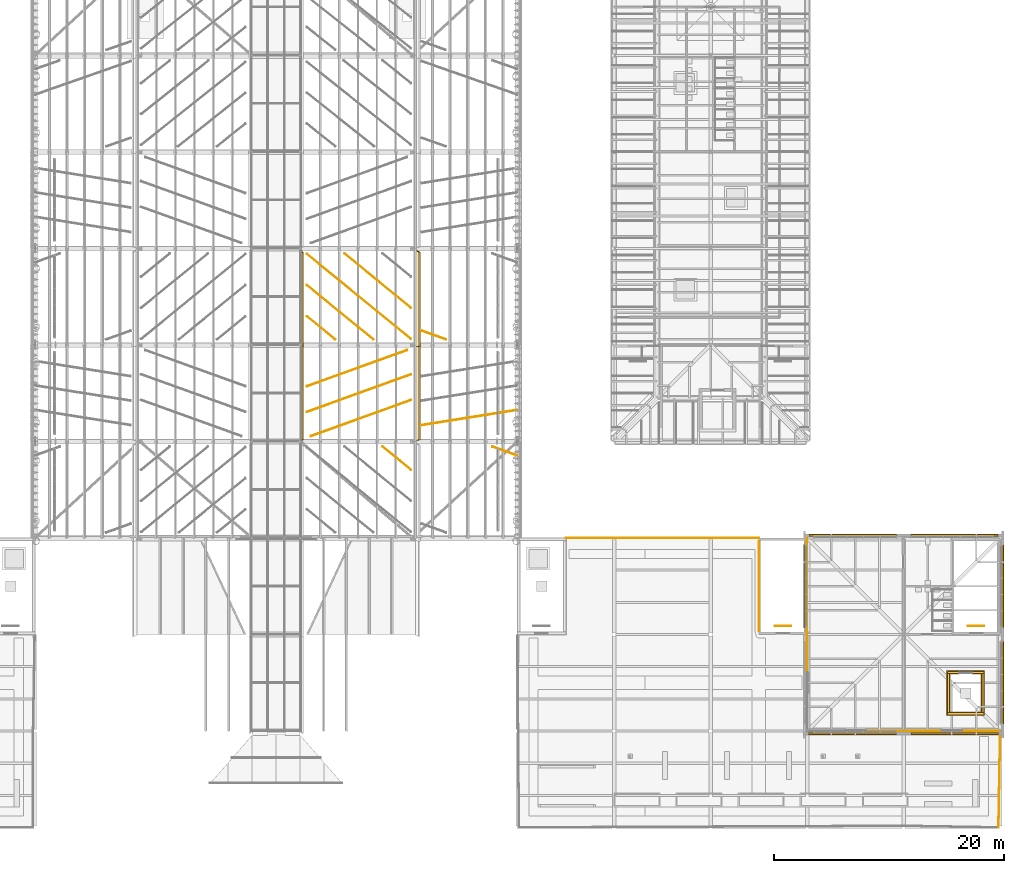
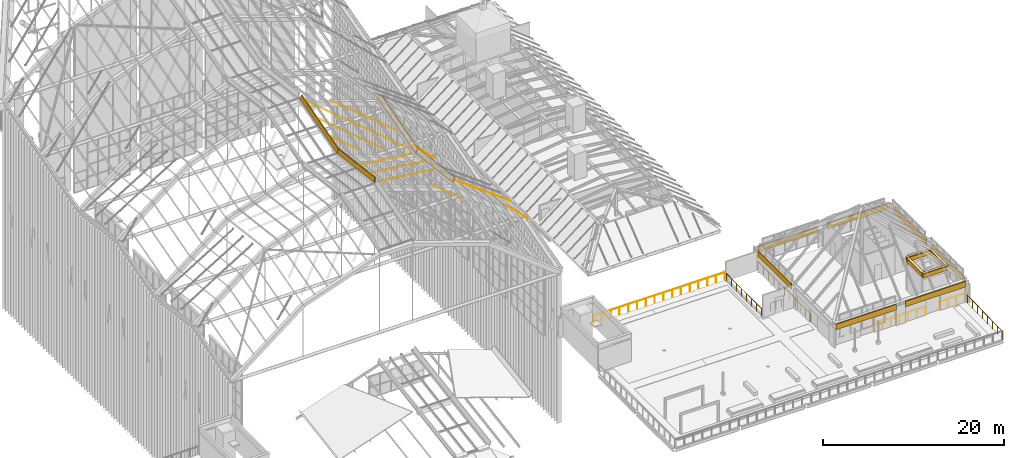
# One storey, part 105 of 126: 30 coverings, 8 railings.
"""IFC4 building model written with IfcOpenShell, lengths in metres."""

from ifc_helpers import new_model, si_unit, direction, frame, origin, origin_2d, place, context, subcontext, project, spatial, polyline, rectangle, circle, outline, extrude, material, layer, layer_set, material_profile, profile_set, type_object, element, save


model = new_model("IFC4")

# Units and contexts
model_context = context("Model", 3, precision=1e-05, world=origin(), true_north=direction((0.0, 1.0)))
body_context = subcontext(model_context, "Body", "Model", "MODEL_VIEW")
ifc_project = project(units=[si_unit("LENGTHUNIT", "METRE"), si_unit("AREAUNIT", "SQUARE_METRE"), si_unit("VOLUMEUNIT", "CUBIC_METRE"), si_unit("PLANEANGLEUNIT", "RADIAN"), si_unit("MASSUNIT", "GRAM", prefix="KILO")], contexts=[model_context])

# Site, building, storey
site_placement = place(None, origin())
site = spatial("IfcSite", under=ifc_project, at=site_placement, CompositionType="ELEMENT")
building_placement = place(site_placement, origin())
building = spatial("IfcBuilding", under=site, at=building_placement, Name="Sava Quay Ferry Terminal", CompositionType="ELEMENT")
storey_placement = place(building_placement, frame((0.0, 0.0, 15.0)))
storey = spatial("IfcBuildingStorey", under=building, at=storey_placement, Name="L03", CompositionType="ELEMENT", Elevation=15.0)

# Coverings
ifc_material_1 = material(Name="Steel S355", Category="steel")
ifc_material_profile = material_profile(ifc_material_1, rectangle(XDim=0.14990234375, YDim=0.60009765625, at=origin_2d()), Name="Cap 150 x 600")
ifc_profile_set = profile_set([ifc_material_profile], Name="Steel S355")
covering_type_1 = type_object("IfcCoveringType", Name="Crease capping 150x600", PredefinedType="MOLDING", material=ifc_profile_set)
covering_1_placement = place(storey_placement, frame((65.266845703125, 58.923583984375, 22.25048828125), z_axis=(0.0, 0.992376512177, -0.123243085318), x_axis=(-0.986478668853, 0.020198273081, 0.162640295321)))
element("IfcCovering", 1, at=covering_1_placement, inside=storey, type_object=covering_type_1, Name="Departure hall crease capping bay 2 crease 3", PredefinedType="MOLDING", context=body_context, shape_type="SweptSolid", body=[
    extrude(rectangle(XDim=0.14990234375, YDim=0.60009765625, at=origin_2d()), origin(), (0.0, 0.0, 1.0), 8.464599609375),
])
covering_2_placement = place(storey_placement, frame((75.352783203125, 58.910400390625, 18.779052734375), z_axis=(0.0, 0.992379601397, -0.123218207788), x_axis=(-0.880257827598, 0.058466508152, 0.4708798407)))
element("IfcCovering", 2, at=covering_2_placement, inside=storey, type_object=covering_type_1, Name="Departure hall crease capping bay 2 crease 4", PredefinedType="MOLDING", context=body_context, shape_type="SweptSolid", body=[
    extrude(rectangle(XDim=0.14990234375, YDim=0.60009765625, at=origin_2d()), origin(), (0.0, 0.0, 1.0), 8.46435546875),
])
covering_3_placement = place(storey_placement, frame((65.26220703125, 66.9287109375, 21.177978515625), z_axis=(0.0, 0.962818275279, 0.270149900588), x_axis=(-0.987217634461, -0.043055946895, 0.15345203696)))
element("IfcCovering", 3, at=covering_3_placement, inside=storey, type_object=covering_type_1, Name="Departure hall crease capping bay 3 crease 3", PredefinedType="MOLDING", context=body_context, shape_type="SweptSolid", body=[
    extrude(rectangle(XDim=0.14990234375, YDim=0.60009765625, at=origin_2d()), origin(), (0.0, 0.0, 1.0), 8.724609375),
])
covering_4_placement = place(storey_placement, frame((75.342041015625, 66.95654296875, 17.71484375), z_axis=(0.0, 0.962816232955, 0.270157179357), x_axis=(-0.885826064608, -0.125357642366, 0.446763522192)))
element("IfcCovering", 4, at=covering_4_placement, inside=storey, type_object=covering_type_1, Name="Departure hall crease capping bay 3 crease 4", PredefinedType="MOLDING", context=body_context, shape_type="SweptSolid", body=[
    extrude(rectangle(XDim=0.14990234375, YDim=0.60009765625, at=origin_2d()), origin(), (0.0, 0.0, 1.0), 8.724365234375),
])

# Railings
ifc_material_2 = material(Name="Steel S355", Category="steel")
railing_type_1 = type_object("IfcRailingType", Name="Edge guard 1100", PredefinedType="GUARDRAIL", material=ifc_material_2)
railing_1_placement = place(storey_placement, frame((88.199951171875, 50.39990234375, 0.0)))
element("IfcRailing", 5, at=railing_1_placement, inside=storey, type_object=railing_type_1, Name="Terrace edge guard", PredefinedType="GUARDRAIL", context=body_context, shape_type="SweptSolid", body=[
    extrude(circle(Radius=0.02392578125, at=origin_2d()), frame((0.0, 0.0, 1.076171875), z_axis=(1.0, 0.0, 0.0), x_axis=(0.0, 1.0, 0.0)), (0.0, 0.0, 1.0), 16.800048828125),
    extrude(circle(Radius=0.02099609375, at=origin_2d()), origin(), (0.0, 0.0, 1.0), 1.052001953125),
    extrude(circle(Radius=0.02099609375, at=origin_2d()), frame((1.1201171875, 0.0, 0.0)), (0.0, 0.0, 1.0), 1.052001953125),
    extrude(circle(Radius=0.02099609375, at=origin_2d()), frame((2.239990234375, 0.0, 0.0)), (0.0, 0.0, 1.0), 1.052001953125),
    extrude(circle(Radius=0.02099609375, at=origin_2d()), frame((3.360107421875, 0.0, 0.0)), (0.0, 0.0, 1.0), 1.052001953125),
    extrude(circle(Radius=0.02099609375, at=origin_2d()), frame((4.47998046875, 0.0, 0.0)), (0.0, 0.0, 1.0), 1.052001953125),
    extrude(circle(Radius=0.02099609375, at=origin_2d()), frame((5.60009765625, 0.0, 0.0)), (0.0, 0.0, 1.0), 1.052001953125),
    extrude(circle(Radius=0.02099609375, at=origin_2d()), frame((6.719970703125, 0.0, 0.0)), (0.0, 0.0, 1.0), 1.052001953125),
    extrude(circle(Radius=0.02099609375, at=origin_2d()), frame((7.840087890625, 0.0, 0.0)), (0.0, 0.0, 1.0), 1.052001953125),
    extrude(circle(Radius=0.02099609375, at=origin_2d()), frame((8.9599609375, 0.0, 0.0)), (0.0, 0.0, 1.0), 1.052001953125),
    extrude(circle(Radius=0.02099609375, at=origin_2d()), frame((10.080078125, 0.0, 0.0)), (0.0, 0.0, 1.0), 1.052001953125),
    extrude(circle(Radius=0.02099609375, at=origin_2d()), frame((11.199951171875, 0.0, 0.0)), (0.0, 0.0, 1.0), 1.052001953125),
    extrude(circle(Radius=0.02099609375, at=origin_2d()), frame((12.320068359375, 0.0, 0.0)), (0.0, 0.0, 1.0), 1.052001953125),
    extrude(circle(Radius=0.02099609375, at=origin_2d()), frame((13.43994140625, 0.0, 0.0)), (0.0, 0.0, 1.0), 1.052001953125),
    extrude(circle(Radius=0.02099609375, at=origin_2d()), frame((14.56005859375, 0.0, 0.0)), (0.0, 0.0, 1.0), 1.052001953125),
    extrude(circle(Radius=0.02099609375, at=origin_2d()), frame((15.679931640625, 0.0, 0.0)), (0.0, 0.0, 1.0), 1.052001953125),
    extrude(circle(Radius=0.02099609375, at=origin_2d()), frame((16.800048828125, 0.0, 0.0)), (0.0, 0.0, 1.0), 1.052001953125),
])
railing_2_placement = place(storey_placement, frame((105.0, 50.080078125, 0.0)))
element("IfcRailing", 6, at=railing_2_placement, inside=storey, type_object=railing_type_1, Name="Terrace edge guard", PredefinedType="GUARDRAIL", context=body_context, shape_type="SweptSolid", body=[
    extrude(circle(Radius=0.02392578125, at=origin_2d()), frame((0.0, 0.0, 1.076171875), z_axis=(0.0, -1.0, 0.0), x_axis=(1.0, 0.0, 0.0)), (0.0, 0.0, 1.0), 7.760009765625),
    extrude(circle(Radius=0.02099609375, at=origin_2d()), origin(), (0.0, 0.0, 1.0), 1.052001953125),
    extrude(circle(Radius=0.02099609375, at=origin_2d()), frame((0.0, -1.108642578125, 0.0)), (0.0, 0.0, 1.0), 1.052001953125),
    extrude(circle(Radius=0.02099609375, at=origin_2d()), frame((0.0, -2.217041015625, 0.0)), (0.0, 0.0, 1.0), 1.052001953125),
    extrude(circle(Radius=0.02099609375, at=origin_2d()), frame((0.0, -3.32568359375, 0.0)), (0.0, 0.0, 1.0), 1.052001953125),
    extrude(circle(Radius=0.02099609375, at=origin_2d()), frame((0.0, -4.434326171875, 0.0)), (0.0, 0.0, 1.0), 1.052001953125),
    extrude(circle(Radius=0.02099609375, at=origin_2d()), frame((0.0, -5.54296875, 0.0)), (0.0, 0.0, 1.0), 1.052001953125),
    extrude(circle(Radius=0.02099609375, at=origin_2d()), frame((0.0, -6.6513671875, 0.0)), (0.0, 0.0, 1.0), 1.052001953125),
    extrude(circle(Radius=0.02099609375, at=origin_2d()), frame((0.0, -7.760009765625, 0.0)), (0.0, 0.0, 1.0), 1.052001953125),
])
railing_3_placement = place(storey_placement, frame((126.0, 33.169921875, 0.0)))
element("IfcRailing", 7, at=railing_3_placement, inside=storey, type_object=railing_type_1, Name="Terrace edge guard", PredefinedType="GUARDRAIL", context=body_context, shape_type="SweptSolid", body=[
    extrude(circle(Radius=0.02392578125, at=origin_2d()), frame((0.0, 0.0, 1.076171875), z_axis=(-0.01754975503, -0.99984599119, 0.0), x_axis=(0.99984599119, -0.01754975503, 0.0)), (0.0, 0.0, 1.0), 7.97119140625),
    extrude(circle(Radius=0.02099609375, at=origin_2d()), origin(), (0.0, 0.0, 1.0), 1.052001953125),
    extrude(circle(Radius=0.02099609375, at=origin_2d()), frame((-0.02001953125, -1.138671875, 0.0)), (0.0, 0.0, 1.0), 1.052001953125),
    extrude(circle(Radius=0.02099609375, at=origin_2d()), frame((-0.0400390625, -2.277099609375, 0.0)), (0.0, 0.0, 1.0), 1.052001953125),
    extrude(circle(Radius=0.02099609375, at=origin_2d()), frame((-0.06005859375, -3.415771484375, 0.0)), (0.0, 0.0, 1.0), 1.052001953125),
    extrude(circle(Radius=0.02099609375, at=origin_2d()), frame((-0.079833984375, -4.55419921875, 0.0)), (0.0, 0.0, 1.0), 1.052001953125),
    extrude(circle(Radius=0.02099609375, at=origin_2d()), frame((-0.099853515625, -5.69287109375, 0.0)), (0.0, 0.0, 1.0), 1.052001953125),
    extrude(circle(Radius=0.02099609375, at=origin_2d()), frame((-0.119873046875, -6.831298828125, 0.0)), (0.0, 0.0, 1.0), 1.052001953125),
    extrude(circle(Radius=0.02099609375, at=origin_2d()), frame((-0.139892578125, -7.969970703125, 0.0)), (0.0, 0.0, 1.0), 1.052001953125),
])
ifc_material_3 = material(Name="Steel S355", Category="steel")
railing_type_2 = type_object("IfcRailingType", Name="Guard 1100", PredefinedType="GUARDRAIL", material=ifc_material_3)
for number, where, name in (
    (8, (106.39990234375, 42.72998046875, 0.0), "Guard at stair well ST-P3 L03"),
    (9, (123.199951171875, 42.72998046875, 0.0), "Guard at stair well ST-P2 L03"),
):
    element("IfcRailing", number, at=place(storey_placement, frame(where)), inside=storey, type_object=railing_type_2, Name=name, PredefinedType="GUARDRAIL", context=body_context, shape_type="SweptSolid", body=[
        extrude(circle(Radius=0.02392578125, at=origin_2d()), frame((0.0, 0.0, 1.076171875), z_axis=(1.0, 0.0, 0.0), x_axis=(0.0, 1.0, 0.0)), (0.0, 0.0, 1.0), 1.400146484375),
        extrude(circle(Radius=0.02099609375, at=origin_2d()), origin(), (0.0, 0.0, 1.0), 1.052001953125),
        extrude(circle(Radius=0.02099609375, at=origin_2d()), frame((0.7001953125, 0.0, 0.0)), (0.0, 0.0, 1.0), 1.052001953125),
        extrude(circle(Radius=0.02099609375, at=origin_2d()), frame((1.400146484375, 0.0, 0.0)), (0.0, 0.0, 1.0), 1.052001953125),
    ])
railing_4_placement = place(storey_placement, frame((114.300048828125, 33.60009765625, 0.0)))
element("IfcRailing", 10, at=railing_4_placement, inside=storey, type_object=railing_type_2, Name="Mezzanine guard", PredefinedType="GUARDRAIL", context=body_context, shape_type="SweptSolid", body=[
    extrude(circle(Radius=0.02392578125, at=origin_2d()), frame((0.0, 0.0, 1.076171875), z_axis=(1.0, 0.0, 0.0), x_axis=(0.0, 1.0, 0.0)), (0.0, 0.0, 1.0), 6.599853515625),
    extrude(circle(Radius=0.02099609375, at=origin_2d()), origin(), (0.0, 0.0, 1.0), 1.052001953125),
    extrude(circle(Radius=0.02099609375, at=origin_2d()), frame((1.10009765625, 0.0, 0.0)), (0.0, 0.0, 1.0), 1.052001953125),
    extrude(circle(Radius=0.02099609375, at=origin_2d()), frame((2.199951171875, 0.0, 0.0)), (0.0, 0.0, 1.0), 1.052001953125),
    extrude(circle(Radius=0.02099609375, at=origin_2d()), frame((3.2998046875, 0.0, 0.0)), (0.0, 0.0, 1.0), 1.052001953125),
    extrude(circle(Radius=0.02099609375, at=origin_2d()), frame((4.39990234375, 0.0, 0.0)), (0.0, 0.0, 1.0), 1.052001953125),
    extrude(circle(Radius=0.02099609375, at=origin_2d()), frame((5.5, 0.0, 0.0)), (0.0, 0.0, 1.0), 1.052001953125),
    extrude(circle(Radius=0.02099609375, at=origin_2d()), frame((6.599853515625, 0.0, 0.0)), (0.0, 0.0, 1.0), 1.052001953125),
])
railing_5_placement = place(storey_placement, frame((122.699951171875, 33.60009765625, 0.0)))
element("IfcRailing", 11, at=railing_5_placement, inside=storey, type_object=railing_type_2, Name="Mezzanine guard", PredefinedType="GUARDRAIL", context=body_context, shape_type="SweptSolid", body=[
    extrude(circle(Radius=0.02392578125, at=origin_2d()), frame((0.0, 0.0, 1.076171875), z_axis=(1.0, 0.0, 0.0), x_axis=(0.0, 1.0, 0.0)), (0.0, 0.0, 1.0), 3.239990234375),
    extrude(circle(Radius=0.02099609375, at=origin_2d()), origin(), (0.0, 0.0, 1.0), 1.052001953125),
    extrude(circle(Radius=0.02099609375, at=origin_2d()), frame((1.080078125, 0.0, 0.0)), (0.0, 0.0, 1.0), 1.052001953125),
    extrude(circle(Radius=0.02099609375, at=origin_2d()), frame((2.159912109375, 0.0, 0.0)), (0.0, 0.0, 1.0), 1.052001953125),
    extrude(circle(Radius=0.02099609375, at=origin_2d()), frame((3.239990234375, 0.0, 0.0)), (0.0, 0.0, 1.0), 1.052001953125),
])
railing_6_placement = place(storey_placement, frame((109.199951171875, 38.699951171875, 0.0)))
element("IfcRailing", 12, at=railing_6_placement, inside=storey, type_object=railing_type_2, Name="Mezzanine guard", PredefinedType="GUARDRAIL", context=body_context, shape_type="SweptSolid", body=[
    extrude(circle(Radius=0.02392578125, at=origin_2d()), frame((0.0, 0.0, 1.076171875), z_axis=(0.0, 1.0, 0.0), x_axis=(-1.0, 0.0, 0.0)), (0.0, 0.0, 1.0), 11.64013671875),
    extrude(circle(Radius=0.02099609375, at=origin_2d()), origin(), (0.0, 0.0, 1.0), 1.052001953125),
    extrude(circle(Radius=0.02099609375, at=origin_2d()), frame((0.0, 1.1640625, 0.0)), (0.0, 0.0, 1.0), 1.052001953125),
    extrude(circle(Radius=0.02099609375, at=origin_2d()), frame((0.0, 2.328125, 0.0)), (0.0, 0.0, 1.0), 1.052001953125),
    extrude(circle(Radius=0.02099609375, at=origin_2d()), frame((0.0, 3.491943359375, 0.0)), (0.0, 0.0, 1.0), 1.052001953125),
    extrude(circle(Radius=0.02099609375, at=origin_2d()), frame((0.0, 4.656005859375, 0.0)), (0.0, 0.0, 1.0), 1.052001953125),
    extrude(circle(Radius=0.02099609375, at=origin_2d()), frame((0.0, 5.820068359375, 0.0)), (0.0, 0.0, 1.0), 1.052001953125),
    extrude(circle(Radius=0.02099609375, at=origin_2d()), frame((0.0, 6.984130859375, 0.0)), (0.0, 0.0, 1.0), 1.052001953125),
    extrude(circle(Radius=0.02099609375, at=origin_2d()), frame((0.0, 8.148193359375, 0.0)), (0.0, 0.0, 1.0), 1.052001953125),
    extrude(circle(Radius=0.02099609375, at=origin_2d()), frame((0.0, 9.31201171875, 0.0)), (0.0, 0.0, 1.0), 1.052001953125),
    extrude(circle(Radius=0.02099609375, at=origin_2d()), frame((0.0, 10.47607421875, 0.0)), (0.0, 0.0, 1.0), 1.052001953125),
    extrude(circle(Radius=0.02099609375, at=origin_2d()), frame((0.0, 11.64013671875, 0.0)), (0.0, 0.0, 1.0), 1.052001953125),
])

# Coverings
ifc_material_4 = material(Name="Limestone Mutalj", Category="masonry")
ifc_layer_1 = layer(ifc_material_4, 0.14990234375)
ifc_layer_set_1 = layer_set([ifc_layer_1], Name="Limestone Mutalj")
covering_type_2 = type_object("IfcCoveringType", Name="Limestone string course 150", PredefinedType="CLADDING", material=ifc_layer_set_1)
covering_5_placement = place(storey_placement, frame((0.0, 0.0, 2.14990234375)))
element("IfcCovering", 13, at=covering_5_placement, inside=storey, type_object=covering_type_2, Name="String course P-N-PAV", PredefinedType="CLADDING", context=body_context, shape_type="SweptSolid", body=[
    extrude(outline(polyline([(109.35009765625, 50.56005859375), (117.0, 50.56005859375), (117.0, 50.7099609375), (109.35009765625, 50.7099609375), (109.35009765625, 50.56005859375)])), origin(), (0.0, 0.0, 1.0), 0.75),
])
covering_6_placement = place(storey_placement, frame((0.0, 0.0, 2.14990234375)))
element("IfcCovering", 14, at=covering_6_placement, inside=storey, type_object=covering_type_2, Name="String course P-N-PAV", PredefinedType="CLADDING", context=body_context, shape_type="SweptSolid", body=[
    extrude(outline(polyline([(118.199951171875, 50.56005859375), (125.85009765625, 50.56005859375), (125.85009765625, 50.7099609375), (118.199951171875, 50.7099609375), (118.199951171875, 50.56005859375)])), origin(), (0.0, 0.0, 1.0), 0.75),
])
covering_7_placement = place(storey_placement, frame((0.0, 0.0, 2.14990234375)))
element("IfcCovering", 15, at=covering_7_placement, inside=storey, type_object=covering_type_2, Name="String course P-E-PAV", PredefinedType="CLADDING", context=body_context, shape_type="SweptSolid", body=[
    extrude(outline(polyline([(126.14990234375, 34.199951171875), (126.14990234375, 41.39990234375), (126.300048828125, 41.39990234375), (126.300048828125, 34.199951171875), (126.14990234375, 34.199951171875)])), origin(), (0.0, 0.0, 1.0), 0.75),
])
covering_8_placement = place(storey_placement, frame((0.0, 0.0, 2.14990234375)))
element("IfcCovering", 16, at=covering_8_placement, inside=storey, type_object=covering_type_2, Name="String course P-E-PAV", PredefinedType="CLADDING", context=body_context, shape_type="SweptSolid", body=[
    extrude(outline(polyline([(126.14990234375, 42.60009765625), (126.14990234375, 49.800048828125), (126.300048828125, 49.800048828125), (126.300048828125, 42.60009765625), (126.14990234375, 42.60009765625)])), origin(), (0.0, 0.0, 1.0), 0.75),
])
covering_9_placement = place(storey_placement, frame((0.0, 0.0, 2.14990234375)))
element("IfcCovering", 17, at=covering_9_placement, inside=storey, type_object=covering_type_2, Name="String course P-S-PAV", PredefinedType="CLADDING", context=body_context, shape_type="SweptSolid", body=[
    extrude(outline(polyline([(109.320068359375, 33.43994140625), (117.0, 33.43994140625), (117.0, 33.2900390625), (109.320068359375, 33.2900390625), (109.320068359375, 33.43994140625)])), origin(), (0.0, 0.0, 1.0), 0.75),
])
covering_10_placement = place(storey_placement, frame((0.0, 0.0, 2.14990234375)))
element("IfcCovering", 18, at=covering_10_placement, inside=storey, type_object=covering_type_2, Name="String course P-S-PAV", PredefinedType="CLADDING", context=body_context, shape_type="SweptSolid", body=[
    extrude(outline(polyline([(118.199951171875, 33.43994140625), (125.8798828125, 33.43994140625), (125.8798828125, 33.2900390625), (118.199951171875, 33.2900390625), (118.199951171875, 33.43994140625)])), origin(), (0.0, 0.0, 1.0), 0.75),
])
covering_11_placement = place(storey_placement, frame((0.0, 0.0, 2.14990234375)))
element("IfcCovering", 19, at=covering_11_placement, inside=storey, type_object=covering_type_2, Name="String course P-W-PAV", PredefinedType="CLADDING", context=body_context, shape_type="SweptSolid", body=[
    extrude(outline(polyline([(109.050048828125, 42.60009765625), (109.050048828125, 49.800048828125), (108.89990234375, 49.800048828125), (108.89990234375, 42.60009765625), (109.050048828125, 42.60009765625)])), origin(), (0.0, 0.0, 1.0), 0.75),
])
ifc_material_5 = material(Name="Limestone Mutalj", Category="masonry")
ifc_layer_2 = layer(ifc_material_5, 0.050048828125)
ifc_layer_set_2 = layer_set([ifc_layer_2], Name="Limestone Mutalj")
covering_type_3 = type_object("IfcCoveringType", Name="Overrun coping 300", PredefinedType="MOLDING", material=ifc_layer_set_2)
for number, where, z_axis, x_axis, name in (
    (20, (123.0, 35.10009765625, 4.43017578125), (0.0, 0.0, 1.0), (1.0, 0.0, 0.0), "Overrun coping LF-P2 S"),
    (21, (123.0, 38.699951171875, 4.43017578125), (0.0, 0.0, 1.0), (1.0, 0.0, 0.0), "Overrun coping LF-P2 N"),
):
    element("IfcCovering", number, at=place(storey_placement, frame(where, z_axis=z_axis, x_axis=x_axis)), inside=storey, type_object=covering_type_3, Name=name, PredefinedType="MOLDING", context=body_context, shape_type="SweptSolid", body=[
        extrude(rectangle(XDim=3.300048828125, YDim=0.300048828125, at=origin_2d()), origin(), (0.0, 0.0, 1.0), 0.050048828125),
    ])
for number, where, z_axis, x_axis, name in (
    (22, (121.5, 36.89990234375, 4.43017578125), (0.0, 0.0, 1.0), (1.0, 0.0, 0.0), "Overrun coping LF-P2 W"),
    (23, (124.5, 36.89990234375, 4.43017578125), (0.0, 0.0, 1.0), (1.0, 0.0, 0.0), "Overrun coping LF-P2 E"),
):
    element("IfcCovering", number, at=place(storey_placement, frame(where, z_axis=z_axis, x_axis=x_axis)), inside=storey, type_object=covering_type_3, Name=name, PredefinedType="MOLDING", context=body_context, shape_type="SweptSolid", body=[
        extrude(rectangle(XDim=0.300048828125, YDim=3.300048828125, at=origin_2d()), origin(), (0.0, 0.0, 1.0), 0.050048828125),
    ])
ifc_material_6 = material(Name="Limestone Mutalj", Category="masonry")
ifc_layer_3 = layer(ifc_material_6, 0.199951171875)
ifc_layer_set_3 = layer_set([ifc_layer_3], Name="Limestone Mutalj")
covering_type_4 = type_object("IfcCoveringType", Name="Overrun parapet 200", PredefinedType="MOLDING", material=ifc_layer_set_3)
for number, where, z_axis, x_axis, name in (
    (24, (123.0, 35.10009765625, 3.829833984375), (0.0, 0.0, 1.0), (1.0, 0.0, 0.0), "Overrun parapet LF-P2 S"),
    (25, (123.0, 38.699951171875, 3.829833984375), (0.0, 0.0, 1.0), (1.0, 0.0, 0.0), "Overrun parapet LF-P2 N"),
):
    element("IfcCovering", number, at=place(storey_placement, frame(where, z_axis=z_axis, x_axis=x_axis)), inside=storey, type_object=covering_type_4, Name=name, PredefinedType="MOLDING", context=body_context, shape_type="SweptSolid", body=[
        extrude(rectangle(XDim=3.199951171875, YDim=0.199951171875, at=origin_2d()), origin(), (0.0, 0.0, 1.0), 0.60009765625),
    ])
for number, where, z_axis, x_axis, name in (
    (26, (121.5, 36.89990234375, 3.829833984375), (0.0, 0.0, 1.0), (1.0, 0.0, 0.0), "Overrun parapet LF-P2 W"),
    (27, (124.5, 36.89990234375, 3.829833984375), (0.0, 0.0, 1.0), (1.0, 0.0, 0.0), "Overrun parapet LF-P2 E"),
):
    element("IfcCovering", number, at=place(storey_placement, frame(where, z_axis=z_axis, x_axis=x_axis)), inside=storey, type_object=covering_type_4, Name=name, PredefinedType="MOLDING", context=body_context, shape_type="SweptSolid", body=[
        extrude(rectangle(XDim=0.199951171875, YDim=3.39990234375, at=origin_2d()), origin(), (0.0, 0.0, 1.0), 0.60009765625),
    ])
ifc_material_7 = material(Name="Zinc standing seam")
ifc_layer_4 = layer(ifc_material_7, 0.0400390625)
ifc_layer_set_4 = layer_set([ifc_layer_4], Name="Zinc standing seam")
covering_type_5 = type_object("IfcCoveringType", Name="Roof seam rib 60", PredefinedType="ROOFING", material=ifc_layer_set_4)
covering_12_placement = place(storey_placement, frame((74.725341796875, 56.299072265625, 18.058837890625), z_axis=(0.314884504303, -0.256205239722, 0.913896396803), x_axis=(-0.708451551005, 0.577324088497, 0.405947406347)))
element("IfcCovering", 28, at=covering_12_placement, inside=storey, type_object=covering_type_5, Name="Roof seam rib", PredefinedType="ROOFING", context=body_context, shape_type="SweptSolid", body=[
    extrude(outline(polyline([(0.0, 0.0), (3.494720171963462, 2.0686577451023425e-16), (3.494832210659092, -0.060053518681101994), (-2.8909568163364152e-05, -0.05986424185795931), (0.0, 0.0)])), origin(), (0.0, 0.0, -1.0), 0.0400390625),
])
covering_13_placement = place(storey_placement, frame((83.958740234375, 57.542724609375, 11.4111328125), z_axis=(0.60113236674, -0.215991283288, 0.769407332433), x_axis=(-0.724124379374, 0.26006063106, 0.638758445242)))
element("IfcCovering", 29, at=covering_13_placement, inside=storey, type_object=covering_type_5, Name="Roof seam rib", PredefinedType="ROOFING", context=body_context, shape_type="SweptSolid", body=[
    extrude(outline(polyline([(0.0, 0.0), (2.9571679712332175, -8.649222831003112e-17), (2.9571610577290284, -0.059926453256644224), (-6.913504189427072e-06, -0.059926453256644044), (0.0, 0.0)])), origin(), (0.0, 0.0, -1.0), 0.0400390625),
])
covering_14_placement = place(storey_placement, frame((74.40576171875, 66.7119140625, 17.8662109375), z_axis=(0.323484868138, 0.116230493747, 0.939067629305), x_axis=(-0.883388140448, -0.318549120262, 0.343732237791)))
element("IfcCovering", 30, at=covering_14_placement, inside=storey, type_object=covering_type_5, Name="Roof seam rib", PredefinedType="ROOFING", context=body_context, shape_type="SweptSolid", body=[
    extrude(outline(polyline([(0.0, 0.0), (9.869117910425805, -8.760353553682876e-17), (9.869053547358595, -0.05992641909135674), (-6.43630672099195e-05, -0.05992641909135624), (0.0, 0.0)])), origin(), (0.0, 0.0, -1.0), 0.0400390625),
])
covering_15_placement = place(storey_placement, frame((74.76220703125, 64.60791015625, 18.004638671875), z_axis=(0.323484138608, 0.116230231621, 0.939067913053), x_axis=(-0.883392007867, -0.318539227373, 0.343731466499)))
element("IfcCovering", 31, at=covering_15_placement, inside=storey, type_object=covering_type_5, Name="Roof seam rib", PredefinedType="ROOFING", context=body_context, shape_type="SweptSolid", body=[
    extrude(outline(polyline([(0.0, 0.0), (10.272570897672582, -1.734723475976807e-16), (10.27250717089765, -0.0599264197713782), (-6.372677493191731e-05, -0.05992641977137832), (0.0, 0.0)])), origin(), (0.0, 0.0, -1.0), 0.0400390625),
])
covering_16_placement = place(storey_placement, frame((74.76220703125, 62.37548828125, 18.281982421875), z_axis=(0.323265042717, 0.11685121674, 0.939066294413), x_axis=(-0.883383999803, -0.318556548917, 0.343735994673)))
element("IfcCovering", 32, at=covering_16_placement, inside=storey, type_object=covering_type_5, Name="Roof seam rib", PredefinedType="ROOFING", context=body_context, shape_type="SweptSolid", body=[
    extrude(outline(polyline([(0.0, 0.0), (9.868902240077414, -5.323432666903827e-17), (9.86905304407733, -0.06000924532413926), (-6.48659219121342e-05, -0.05992640555676459), (0.0, 0.0)])), origin(), (0.0, 0.0, -1.0), 0.0400390625),
])
covering_17_placement = place(storey_placement, frame((83.98193359375, 61.504150390625, 11.3916015625), z_axis=(0.612789242084, 0.097088007491, 0.784259691421), x_axis=(-0.774539596054, -0.123092368459, 0.620432657886)))
element("IfcCovering", 33, at=covering_17_placement, inside=storey, type_object=covering_type_5, Name="Roof seam rib", PredefinedType="ROOFING", context=body_context, shape_type="SweptSolid", body=[
    extrude(outline(polyline([(0.0, 0.0), (10.72613399204303, -1.7802599672211983e-16), (10.726017063115911, -0.060047019147322536), (7.216765394945073e-05, -0.06008529379415841), (0.0, 0.0)])), origin(), (0.0, 0.0, -1.0), 0.0400390625),
])
covering_18_placement = place(storey_placement, frame((74.725341796875, 70.389892578125, 18.61279296875), z_axis=(0.315201891408, -0.255792110828, 0.913902710189), x_axis=(-0.708451199219, 0.577334946884, 0.405932577446)))
element("IfcCovering", 34, at=covering_18_placement, inside=storey, type_object=covering_type_5, Name="Roof seam rib", PredefinedType="ROOFING", context=body_context, shape_type="SweptSolid", body=[
    extrude(outline(polyline([(0.0, 0.0), (8.187286541609563, 6.808789643208968e-16), (8.187399099953307, -0.06005352585318334), (0.00011255834374292867, -0.060053525853184006), (0.0, 0.0)])), origin(), (0.0, 0.0, -1.0), 0.0400390625),
])
covering_19_placement = place(storey_placement, frame((74.725341796875, 67.680908203125, 17.8525390625), z_axis=(0.314478059046, -0.256699937962, 0.913897528298), x_axis=(-0.708448023369, 0.577330218281, 0.405944845076)))
element("IfcCovering", 35, at=covering_19_placement, inside=storey, type_object=covering_type_5, Name="Roof seam rib", PredefinedType="ROOFING", context=body_context, shape_type="SweptSolid", body=[
    extrude(outline(polyline([(0.0, 0.0), (12.803043094450395, -1.3140530330524314e-16), (12.80284164177166, -0.060018504371942026), (0.00011245802479563707, -0.0600534855653981), (0.0, 0.0)])), origin(), (0.0, 0.0, -1.0), 0.0400390625),
])
covering_20_placement = place(storey_placement, frame((71.45556640625, 67.63671875, 18.966064453125), z_axis=(0.314467945274, -0.256691682363, 0.913903327273), x_axis=(-0.708463373861, 0.577320564562, 0.405931784455)))
element("IfcCovering", 36, at=covering_20_placement, inside=storey, type_object=covering_type_5, Name="Roof seam rib", PredefinedType="ROOFING", context=body_context, shape_type="SweptSolid", body=[
    extrude(outline(polyline([(0.0, 0.0), (8.18745950484433, -2.6237692574149207e-17), (8.187257019723312, -0.060018500900263866), (0.00011142697332256271, -0.06005348748992953), (0.0, 0.0)])), origin(), (0.0, 0.0, -1.0), 0.0400390625),
])
covering_21_placement = place(storey_placement, frame((68.131103515625, 67.63671875, 20.110595703125), z_axis=(0.314106095751, -0.257220739828, 0.913879013664), x_axis=(-0.70843204535, 0.577321114298, 0.405985674756)))
element("IfcCovering", 37, at=covering_21_placement, inside=storey, type_object=covering_type_5, Name="Roof seam rib", PredefinedType="ROOFING", context=body_context, shape_type="SweptSolid", body=[
    extrude(outline(polyline([(0.0, 0.0), (3.4951331922103135, -2.246466901389965e-16), (3.4949319257655014, -0.06001853728278861), (-6.03189071416918e-05, -0.06020773253524968), (0.0, 0.0)])), origin(), (0.0, 0.0, -1.0), 0.0400390625),
])
covering_22_placement = place(storey_placement, frame((77.79296875, 67.6318359375, 15.6591796875), z_axis=(0.60113236674, -0.215991283288, 0.769407332433), x_axis=(-0.724124379374, 0.26006063106, 0.638758445242)))
element("IfcCovering", 38, at=covering_22_placement, inside=storey, type_object=covering_type_5, Name="Roof seam rib", PredefinedType="ROOFING", context=body_context, shape_type="SweptSolid", body=[
    extrude(outline(polyline([(0.0, 0.0), (2.9571679712332175, -8.649222831003112e-17), (2.9571610577290284, -0.059926453256644224), (-6.913504189427072e-06, -0.059926453256644044), (0.0, 0.0)])), origin(), (0.0, 0.0, -1.0), 0.0400390625),
])

save(model, "model.ifc")
